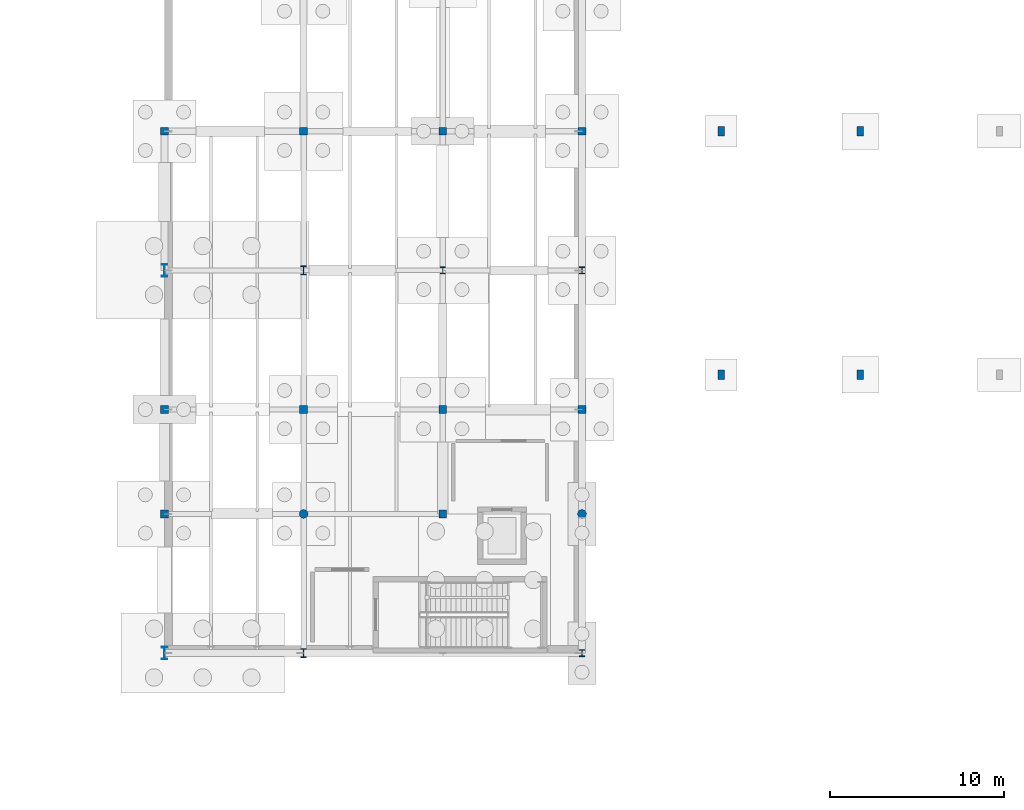
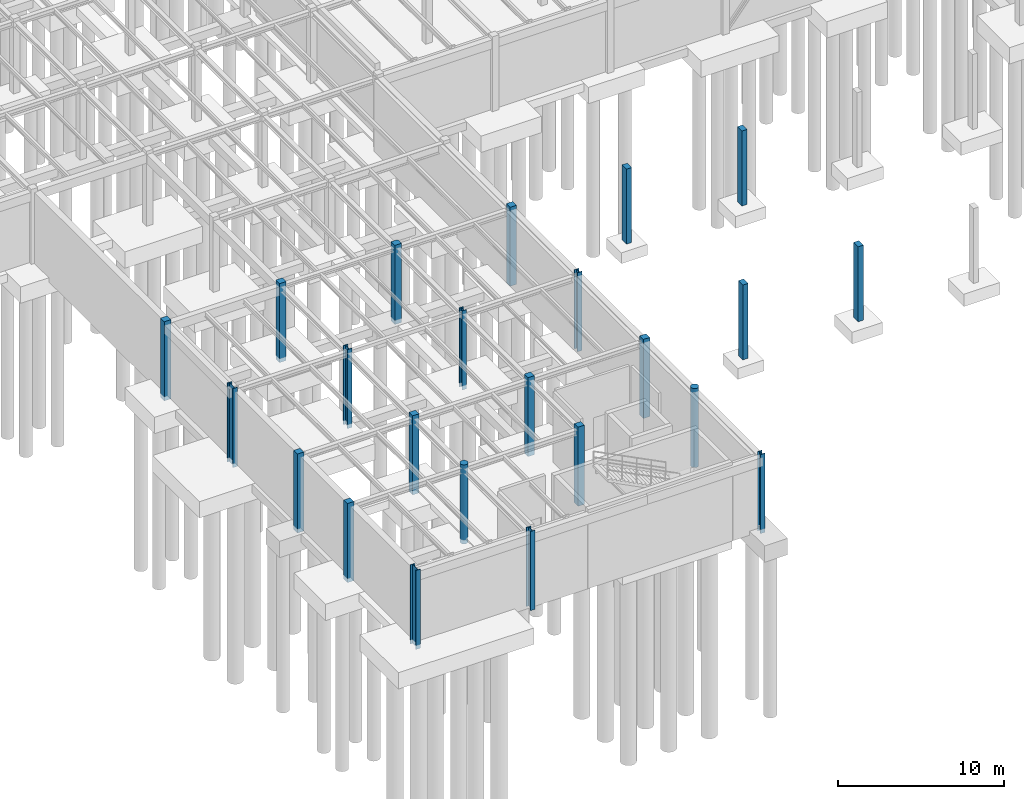
# One storey, part 11 of 71: 23 columns.
"""IFC4 building model written with IfcOpenShell, lengths in metres."""

from ifc_helpers import new_model, si_unit, direction, frame, origin, origin_2d, place, context, subcontext, project, spatial, rectangle, circle, i_section, extrude, material, material_profile, profile_set, type_object, element, save


model = new_model("IFC4")

# Units and contexts
model_context = context("Model", 3, precision=1e-05, world=origin(), true_north=direction((0.0, 1.0)))
body_context = subcontext(model_context, "Body", "Model", "MODEL_VIEW")
ifc_project = project(units=[si_unit("LENGTHUNIT", "METRE"), si_unit("AREAUNIT", "SQUARE_METRE"), si_unit("VOLUMEUNIT", "CUBIC_METRE"), si_unit("PLANEANGLEUNIT", "RADIAN"), si_unit("MASSUNIT", "GRAM", prefix="KILO")], contexts=[model_context])

# Site, building, storey
site_placement = place(None, origin())
site = spatial("IfcSite", under=ifc_project, at=site_placement, CompositionType="ELEMENT")
building_placement = place(site_placement, origin())
building = spatial("IfcBuilding", under=site, at=building_placement, Name="Sundkrona Museum", CompositionType="ELEMENT")
storey_placement = place(building_placement, frame((0.0, 0.0, -5.39990234375)))
storey = spatial("IfcBuildingStorey", under=building, at=storey_placement, Name="B1", CompositionType="ELEMENT", Elevation=-5.39990234375)

# Columns
ifc_material_1 = material(Name="Steel S460M", Category="steel")
ifc_material_profile_1 = material_profile(ifc_material_1, i_section(OverallWidth=0.30810546875, OverallDepth=0.39501953125, WebThickness=0.02099609375, FlangeThickness=0.0400390625, FilletRadius=0.027099609375, at=origin_2d()), Name="HEM 360")
ifc_profile_set_1 = profile_set([ifc_material_profile_1], Name="Steel S460M")
column_type_1 = type_object("IfcColumnType", Name="C-HEM360", PredefinedType="COLUMN", material=ifc_profile_set_1)
for number, where, z_axis, x_axis, name in (
    (1, (32.0, 54.0, -0.400146484375), (0.0, 0.0, 1.0), (1.0, 0.0, 0.0), "B1 Column H/5"),
    (2, (40.0, 32.0, -0.400146484375), (0.0, 0.0, 1.0), (1.0, 0.0, 0.0), "B1 Column E/6"),
    (3, (40.0, 54.0, -0.400146484375), (0.0, 0.0, 1.0), (1.0, 0.0, 0.0), "B1 Column H/6"),
):
    element("IfcColumn", number, at=place(storey_placement, frame(where, z_axis=z_axis, x_axis=x_axis)), inside=storey, type_object=column_type_1, Name=name, PredefinedType="COLUMN", context=body_context, shape_type="SweptSolid", body=[
        extrude(i_section(OverallWidth=0.30810546875, OverallDepth=0.39501953125, WebThickness=0.02099609375, FlangeThickness=0.0400390625, FilletRadius=0.027099609375, at=origin_2d()), origin(), (0.0, 0.0, 1.0), 5.800048828125),
    ])
ifc_material_profile_2 = material_profile(ifc_material_1, i_section(OverallWidth=0.305908203125, OverallDepth=0.52392578125, WebThickness=0.02099609375, FlangeThickness=0.0400390625, FilletRadius=0.027099609375, at=origin_2d()), Name="HEM 500")
ifc_profile_set_2 = profile_set([ifc_material_profile_2], Name="Steel S460M")
column_type_2 = type_object("IfcColumnType", Name="C-HEM500", PredefinedType="COLUMN", material=ifc_profile_set_2)
for number, where, z_axis, x_axis, name in (
    (4, (24.0, 32.0, -0.400146484375), (0.0, 0.0, 1.0), (1.0, 0.0, 0.0), "B1 Column E/4"),
    (5, (24.0, 54.0, -0.400146484375), (0.0, 0.0, 1.0), (1.0, 0.0, 0.0), "B1 Column H/4"),
):
    element("IfcColumn", number, at=place(storey_placement, frame(where, z_axis=z_axis, x_axis=x_axis)), inside=storey, type_object=column_type_2, Name=name, PredefinedType="COLUMN", context=body_context, shape_type="SweptSolid", body=[
        extrude(i_section(OverallWidth=0.305908203125, OverallDepth=0.52392578125, WebThickness=0.02099609375, FlangeThickness=0.0400390625, FilletRadius=0.027099609375, at=origin_2d()), origin(), (0.0, 0.0, 1.0), 5.800048828125),
    ])
ifc_material_profile_3 = material_profile(ifc_material_1, i_section(OverallWidth=0.303955078125, OverallDepth=0.716064453125, WebThickness=0.02099609375, FlangeThickness=0.0400390625, FilletRadius=0.027099609375, at=origin_2d()), Name="HEM 700")
ifc_profile_set_3 = profile_set([ifc_material_profile_3], Name="Steel S460M")
column_type_3 = type_object("IfcColumnType", Name="C-HEM700", PredefinedType="COLUMN", material=ifc_profile_set_3)
for number, where, z_axis, x_axis, name in (
    (6, (16.0, 32.0, -0.400146484375), (0.0, 0.0, 1.0), (1.0, 0.0, 0.0), "B1 Column E/3"),
    (7, (16.0, 54.0, -0.400146484375), (0.0, 0.0, 1.0), (1.0, 0.0, 0.0), "B1 Column H/3"),
):
    element("IfcColumn", number, at=place(storey_placement, frame(where, z_axis=z_axis, x_axis=x_axis)), inside=storey, type_object=column_type_3, Name=name, PredefinedType="COLUMN", context=body_context, shape_type="SweptSolid", body=[
        extrude(i_section(OverallWidth=0.303955078125, OverallDepth=0.716064453125, WebThickness=0.02099609375, FlangeThickness=0.0400390625, FilletRadius=0.027099609375, at=origin_2d()), origin(), (0.0, 0.0, 1.0), 5.800048828125),
    ])
ifc_material_2 = material(Name="Concrete C40/50", Category="concrete")
ifc_material_profile_4 = material_profile(ifc_material_2, rectangle(XDim=0.449951171875, YDim=0.449951171875, at=origin_2d()), Name="RC 450x450")
ifc_profile_set_4 = profile_set([ifc_material_profile_4], Name="Concrete C40/50")
column_type_4 = type_object("IfcColumnType", Name="C-RC450", PredefinedType="COLUMN", material=ifc_profile_set_4)
for number, where, z_axis, x_axis, name in (
    (8, (16.0, 40.0, -0.400146484375), (0.0, 0.0, 1.0), (1.0, 0.0, 0.0), "B1 Column F/3"),
    (9, (16.0, 46.0, -0.400146484375), (0.0, 0.0, 1.0), (1.0, 0.0, 0.0), "B1 Column G/3"),
    (10, (16.0, 62.0, -0.400146484375), (0.0, 0.0, 1.0), (1.0, 0.0, 0.0), "B1 Column J/3"),
    (11, (24.0, 46.0, -0.400146484375), (0.0, 0.0, 1.0), (1.0, 0.0, 0.0), "B1 Column G/4"),
    (12, (24.0, 62.0, -0.400146484375), (0.0, 0.0, 1.0), (1.0, 0.0, 0.0), "B1 Column J/4"),
    (13, (32.0, 40.0, -0.400146484375), (0.0, 0.0, 1.0), (1.0, 0.0, 0.0), "B1 Column F/5"),
    (14, (32.0, 46.0, -0.400146484375), (0.0, 0.0, 1.0), (1.0, 0.0, 0.0), "B1 Column G/5"),
    (15, (32.0, 62.0, -0.400146484375), (0.0, 0.0, 1.0), (1.0, 0.0, 0.0), "B1 Column J/5"),
    (16, (40.0, 46.0, -0.400146484375), (0.0, 0.0, 1.0), (1.0, 0.0, 0.0), "B1 Column G/6"),
    (17, (40.0, 62.0, -0.400146484375), (0.0, 0.0, 1.0), (1.0, 0.0, 0.0), "B1 Column J/6"),
):
    element("IfcColumn", number, at=place(storey_placement, frame(where, z_axis=z_axis, x_axis=x_axis)), inside=storey, type_object=column_type_4, Name=name, PredefinedType="COLUMN", context=body_context, shape_type="SweptSolid", body=[
        extrude(rectangle(XDim=0.449951171875, YDim=0.449951171875, at=origin_2d()), origin(), (0.0, 0.0, 1.0), 5.800048828125),
    ])
ifc_material_profile_5 = material_profile(ifc_material_2, circle(Radius=0.25, at=origin_2d()), Name="RC D500")
ifc_profile_set_5 = profile_set([ifc_material_profile_5], Name="Concrete C40/50")
column_type_5 = type_object("IfcColumnType", Name="C-RCD500", PredefinedType="COLUMN", material=ifc_profile_set_5)
for number, where, z_axis, x_axis, name in (
    (18, (24.0, 40.0, -0.400146484375), (0.0, 0.0, 1.0), (1.0, 0.0, 0.0), "B1 Column F/4"),
    (19, (40.0, 40.0, -0.400146484375), (0.0, 0.0, 1.0), (1.0, 0.0, 0.0), "B1 Column F/6"),
):
    element("IfcColumn", number, at=place(storey_placement, frame(where, z_axis=z_axis, x_axis=x_axis)), inside=storey, type_object=column_type_5, Name=name, PredefinedType="COLUMN", context=body_context, shape_type="SweptSolid", body=[
        extrude(circle(Radius=0.25, at=origin_2d()), origin(), (0.0, 0.0, 1.0), 5.800048828125),
    ])
ifc_material_profile_6 = material_profile(ifc_material_2, rectangle(XDim=0.360107421875, YDim=0.5400390625, at=origin_2d()), Name="RC 540x360")
ifc_profile_set_6 = profile_set([ifc_material_profile_6], Name="Concrete C40/50")
column_type_6 = type_object("IfcColumnType", Name="PIL-540", PredefinedType="PILASTER", material=ifc_profile_set_6)
for number, where, z_axis, x_axis, name in (
    (20, (48.0, 48.0, -0.10009765625), (0.0, 0.0, 1.0), (1.0, 0.0, 0.0), "Arcade Foundation Pier PF-CL-01"),
    (21, (56.0, 48.0, -0.10009765625), (0.0, 0.0, 1.0), (1.0, 0.0, 0.0), "Arcade Foundation Pier PF-CL-02"),
    (22, (48.0, 62.0, -0.10009765625), (0.0, 0.0, 1.0), (1.0, 0.0, 0.0), "Arcade Foundation Pier PF-CL-05"),
    (23, (56.0, 62.0, -0.10009765625), (0.0, 0.0, 1.0), (1.0, 0.0, 0.0), "Arcade Foundation Pier PF-CL-06"),
):
    element("IfcColumn", number, at=place(storey_placement, frame(where, z_axis=z_axis, x_axis=x_axis)), inside=storey, type_object=column_type_6, Name=name, PredefinedType="PILASTER", context=body_context, shape_type="SweptSolid", body=[
        extrude(rectangle(XDim=0.360107421875, YDim=0.5400390625, at=origin_2d()), origin(), (0.0, 0.0, 1.0), 5.5),
    ])

save(model, "model.ifc")
